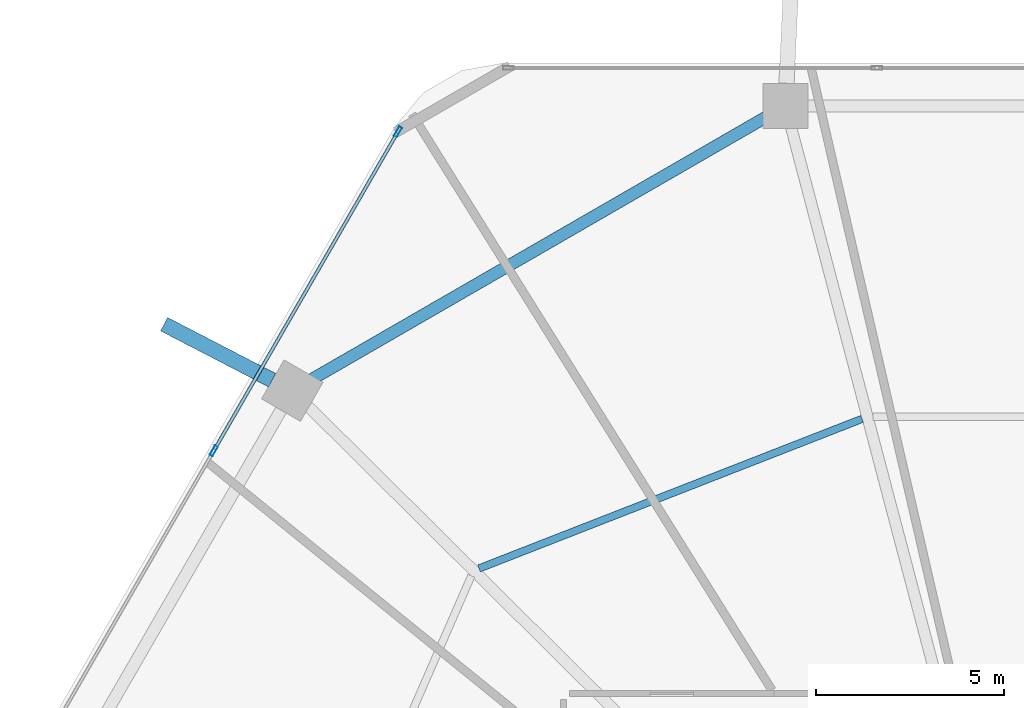
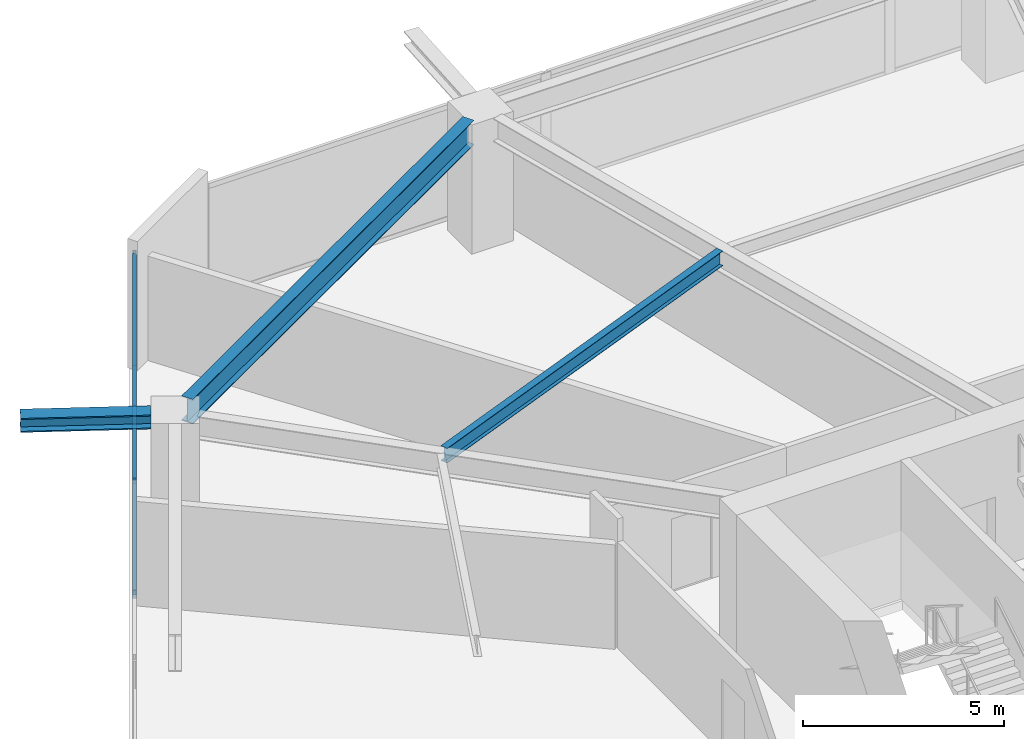
# One storey, part 14 of 26: 4 members, 3 beams, 1 element without a shape of its own.
"""IFC4 building model written with IfcOpenShell, lengths in metres."""

from ifc_helpers import new_model, si_unit, direction, frame, origin, origin_2d, place, context, subcontext, project, spatial, hollow_rectangle, i_section, extrude, material, material_profile, profile_set, type_object, element, aggregate, save


model = new_model("IFC4")

# Units and contexts
model_context = context("Model", 3, precision=1e-05, world=origin(), true_north=direction((0.0, 1.0)))
body_context = subcontext(model_context, "Body", "Model", "MODEL_VIEW")
ifc_project = project(units=[si_unit("LENGTHUNIT", "METRE"), si_unit("AREAUNIT", "SQUARE_METRE"), si_unit("VOLUMEUNIT", "CUBIC_METRE"), si_unit("PLANEANGLEUNIT", "RADIAN"), si_unit("MASSUNIT", "GRAM", prefix="KILO")], contexts=[model_context])

# Site, building, storey
site_placement = place(None, origin())
site = spatial("IfcSite", under=ifc_project, at=site_placement, CompositionType="ELEMENT")
building_placement = place(site_placement, origin())
building = spatial("IfcBuilding", under=site, at=building_placement, Name="Zuhravey Tower", CompositionType="ELEMENT")
storey_placement = place(building_placement, frame((0.0, 0.0, 28.800048828125)))
storey = spatial("IfcBuildingStorey", under=building, at=storey_placement, Name="L07", CompositionType="ELEMENT", Elevation=28.800048828125)

# Curtain wall, members
ifc_material_1 = material(Name="Thermally broken anodised aluminium", Category="aluminium")
curtain_wall_type = type_object("IfcCurtainWallType", Name="School Low-E Unitised Curtain Wall CW1", PredefinedType="NOTDEFINED", material=ifc_material_1)
curtain_wall_placement = place(storey_placement, origin())
curtain_wall = element("IfcCurtainWall", 1, at=curtain_wall_placement, inside=storey, type_object=curtain_wall_type, Name="L07 CW1 CW-L07-F3-1", PredefinedType="NOTDEFINED")
ifc_material_2 = material(Name="Anodised aluminium", Category="aluminium")
ifc_material_profile_1 = material_profile(ifc_material_2, hollow_rectangle(XDim=0.090087890625, YDim=0.284912109375, WallThickness=0.0048828125, at=origin_2d()), Name="ALU-RHS-90x285x5")
ifc_profile_set_1 = profile_set([ifc_material_profile_1], Name="Anodised aluminium")
member_type_1 = type_object("IfcMemberType", Name="Curtain-Wall Mullion 90x180", PredefinedType="MULLION", material=ifc_profile_set_1)
member_1_placement = place(storey_placement, frame((13.387939453125, 50.75146484375, 0.0), z_axis=(0.0, 0.0, 1.0), x_axis=(-0.86602552265, 0.499999794119, 0.0)))
member_1 = element("IfcMember", 2, at=member_1_placement, type_object=member_type_1, Name="CW1 mullion 3", PredefinedType="MULLION", context=body_context, shape_type="SweptSolid", body=[
    extrude(hollow_rectangle(XDim=0.090087890625, YDim=0.284912109375, WallThickness=0.0048828125, at=origin_2d()), origin(), (0.0, 0.0, 1.0), 3.491943359375),
])
member_2_placement = place(storey_placement, frame((18.298583984375, 59.257080078125, 0.0), z_axis=(0.0, 0.0, 1.0), x_axis=(-0.86602552265, 0.499999794119, 0.0)))
member_2 = element("IfcMember", 3, at=member_2_placement, type_object=member_type_1, Name="CW1 mullion 4", PredefinedType="MULLION", context=body_context, shape_type="SweptSolid", body=[
    extrude(hollow_rectangle(XDim=0.090087890625, YDim=0.284912109375, WallThickness=0.0048828125, at=origin_2d()), origin(), (0.0, 0.0, 1.0), 3.491943359375),
])
ifc_material_profile_2 = material_profile(ifc_material_2, hollow_rectangle(XDim=0.090087890625, YDim=0.14990234375, WallThickness=0.0048828125, at=origin_2d()), Name="ALU-RHS-90x150x5")
ifc_profile_set_2 = profile_set([ifc_material_profile_2], Name="Anodised aluminium")
member_type_2 = type_object("IfcMemberType", Name="Curtain-Wall Transom 90x150", PredefinedType="USERDEFINED", material=ifc_profile_set_2)
member_3_placement = place(storey_placement, frame((13.410400390625, 50.79052734375, 0.044921875), z_axis=(0.499989576763, 0.86603142156, 0.0), x_axis=(-0.86603142156, 0.499989576763, 0.0)))
member_3 = element("IfcMember", 4, at=member_3_placement, type_object=member_type_2, Name="CW1 transom 3.1", ObjectType="TRANSOM", PredefinedType="USERDEFINED", context=body_context, shape_type="SweptSolid", body=[
    extrude(hollow_rectangle(XDim=0.090087890625, YDim=0.14990234375, WallThickness=0.0048828125, at=origin_2d()), origin(), (0.0, 0.0, 1.0), 9.731201171875),
])
member_4_placement = place(storey_placement, frame((13.410400390625, 50.79052734375, 3.447021484375), z_axis=(0.499989576763, 0.86603142156, 0.0), x_axis=(-0.86603142156, 0.499989576763, 0.0)))
member_4 = element("IfcMember", 5, at=member_4_placement, type_object=member_type_2, Name="CW1 transom 3.2", ObjectType="TRANSOM", PredefinedType="USERDEFINED", context=body_context, shape_type="SweptSolid", body=[
    extrude(hollow_rectangle(XDim=0.090087890625, YDim=0.14990234375, WallThickness=0.0048828125, at=origin_2d()), origin(), (0.0, 0.0, 1.0), 9.731201171875),
])
aggregate(curtain_wall, [member_1, member_2, member_3, member_4])

# Beams
ifc_material_3 = material(Name="Steel SM460", Category="steel")
ifc_material_profile_3 = material_profile(ifc_material_3, i_section(OverallWidth=0.406982421875, OverallDepth=0.427978515625, WebThickness=0.02001953125, FlangeThickness=0.034912109375, at=origin_2d()), Name="H-428x407x20x35")
ifc_profile_set_3 = profile_set([ifc_material_profile_3], Name="Steel SM460")
beam_type_1 = type_object("IfcBeamType", Name="Exoskeleton Node Tie Beam H428x407", PredefinedType="BEAM", material=ifc_profile_set_3)
beam_1_placement = place(storey_placement, frame((14.944091796875, 52.635009765625, 3.7060546875), z_axis=(-0.887924165108, 0.459989866212, 0.0), x_axis=(-0.459989866212, -0.887924165108, 0.0)))
element("IfcBeam", 6, at=beam_1_placement, inside=storey, type_object=beam_type_1, Name="L07 Exoskeleton Node Tie NT1-05", PredefinedType="BEAM", context=body_context, shape_type="SweptSolid", body=[
    extrude(i_section(OverallWidth=0.406982421875, OverallDepth=0.427978515625, WebThickness=0.02001953125, FlangeThickness=0.034912109375, at=origin_2d()), origin(), (0.0, 0.0, 1.0), 3.244384765625),
])
ifc_material_4 = material(Name="Steel SM355", Category="steel")
ifc_material_profile_4 = material_profile(ifc_material_4, i_section(OverallWidth=0.320068359375, OverallDepth=0.75, WebThickness=0.013916015625, FlangeThickness=0.02490234375, at=origin_2d()), Name="H-750x320x14x25")
ifc_profile_set_4 = profile_set([ifc_material_profile_4], Name="Steel SM355")
beam_type_2 = type_object("IfcBeamType", Name="Perimeter Ring Beam H750x320", PredefinedType="BEAM", material=ifc_profile_set_4)
beam_2_placement = place(storey_placement, frame((28.10791015625, 59.64697265625, 3.544921875), z_axis=(-0.866029969761, -0.499992091414, 0.0), x_axis=(0.499992091414, -0.866029969761, 0.0)))
element("IfcBeam", 7, at=beam_2_placement, inside=storey, type_object=beam_type_2, Name="L07 PB1 BM-L07-PB-04", PredefinedType="BEAM", context=body_context, shape_type="SweptSolid", body=[
    extrude(i_section(OverallWidth=0.320068359375, OverallDepth=0.75, WebThickness=0.013916015625, FlangeThickness=0.02490234375, at=origin_2d()), origin(), (0.0, 0.0, 1.0), 13.977294921875),
])
ifc_material_profile_5 = material_profile(ifc_material_4, i_section(OverallWidth=0.199951171875, OverallDepth=0.449951171875, WebThickness=0.009033203125, FlangeThickness=0.013916015625, at=origin_2d()), Name="H-450x200x9x14")
ifc_profile_set_5 = profile_set([ifc_material_profile_5], Name="Steel SM355")
beam_type_3 = type_object("IfcBeamType", Name="Secondary Floor Joist H450x200", PredefinedType="JOIST", material=ifc_profile_set_5)
beam_3_placement = place(storey_placement, frame((30.67236328125, 51.60302734375, 3.695068359375), z_axis=(-0.931516535886, -0.363698973562, 0.0), x_axis=(0.363698973562, -0.931516535886, 0.0)))
element("IfcBeam", 8, at=beam_3_placement, inside=storey, type_object=beam_type_3, Name="L07 SJ1 BM-L07-SJ-04-1", PredefinedType="JOIST", context=body_context, shape_type="SweptSolid", body=[
    extrude(i_section(OverallWidth=0.199951171875, OverallDepth=0.449951171875, WebThickness=0.009033203125, FlangeThickness=0.013916015625, at=origin_2d()), origin(), (0.0, 0.0, 1.0), 10.963134765625),
])

save(model, "model.ifc")
